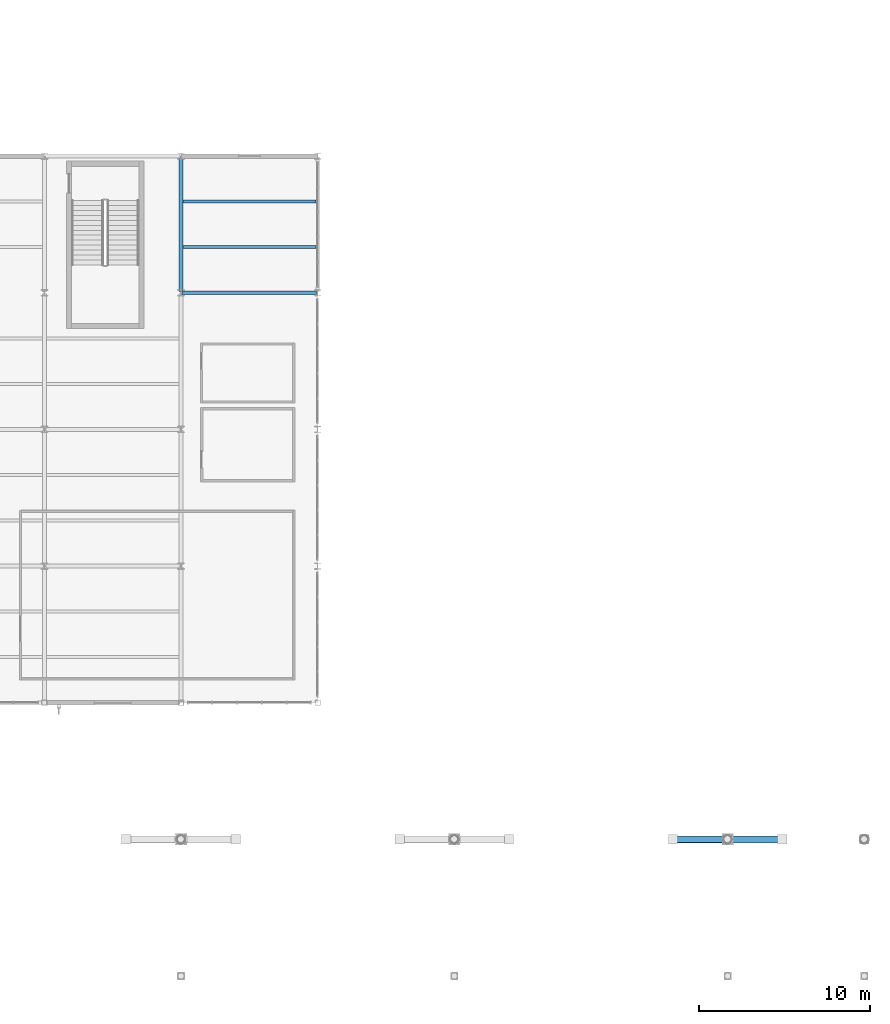
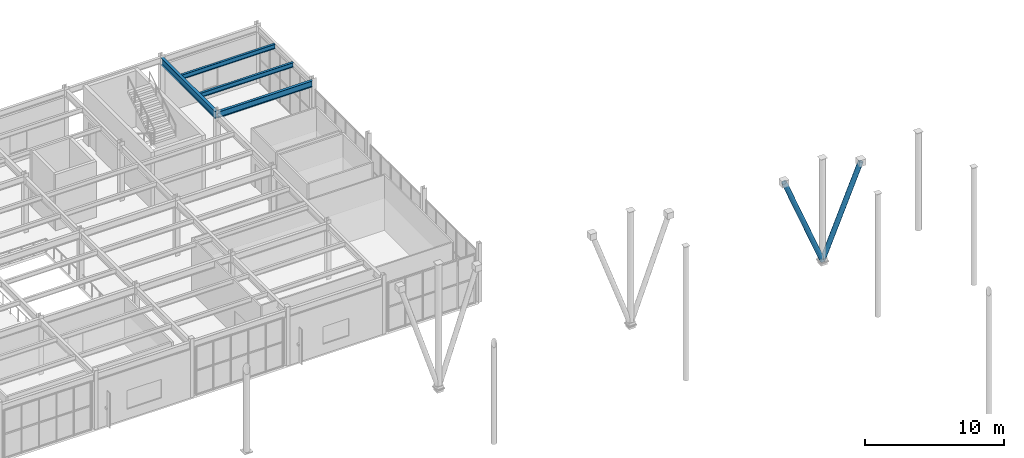
# One storey, part 44 of 77: 4 beams, 2 members.
"""IFC4 building model written with IfcOpenShell, lengths in metres."""

from ifc_helpers import new_model, si_unit, direction, frame, origin, origin_2d, place, context, subcontext, project, spatial, hollow_circle, i_section, extrude, material, material_profile, profile_set, type_object, element, save


model = new_model("IFC4")

# Units and contexts
model_context = context("Model", 3, precision=1e-05, world=origin(), true_north=direction((0.0, 1.0)))
body_context = subcontext(model_context, "Body", "Model", "MODEL_VIEW")
ifc_project = project(units=[si_unit("LENGTHUNIT", "METRE"), si_unit("AREAUNIT", "SQUARE_METRE"), si_unit("VOLUMEUNIT", "CUBIC_METRE"), si_unit("PLANEANGLEUNIT", "RADIAN"), si_unit("MASSUNIT", "GRAM", prefix="KILO")], contexts=[model_context])

# Site, building, storey
site_placement = place(None, origin())
site = spatial("IfcSite", under=ifc_project, at=site_placement, CompositionType="ELEMENT")
building_placement = place(site_placement, origin())
building = spatial("IfcBuilding", under=site, at=building_placement, Name="Drelvath Fold Interchange", CompositionType="ELEMENT")
storey_placement = place(building_placement, frame((0.0, 0.0, 6.0)))
storey = spatial("IfcBuildingStorey", under=building, at=storey_placement, Name="L01", CompositionType="ELEMENT", Elevation=6.0)

# Beams
ifc_material_1 = material(Name="Steel ASTM A992 Grade 50", Category="steel")
ifc_material_profile_1 = material_profile(ifc_material_1, i_section(OverallWidth=0.177978515625, OverallDepth=0.403076171875, WebThickness=0.007568359375, FlangeThickness=0.010986328125, at=origin_2d()), Name="W16X36")
ifc_profile_set_1 = profile_set([ifc_material_profile_1], Name="Steel ASTM A992 Grade 50")
beam_type_1 = type_object("IfcBeamType", Name="BM-W16X36", PredefinedType="JOIST", material=ifc_profile_set_1)
for number, where, z_axis, x_axis, name in (
    (1, (134.113037109375, 101.6669921875, 4.748046875), (1.0, 0.0, 0.0), (0.0, 1.0, 0.0), "L01 Secondary floor joist BM-W16X36"),
    (2, (134.113037109375, 104.3330078125, 4.748046875), (1.0, 0.0, 0.0), (0.0, 1.0, 0.0), "L01 Secondary floor joist BM-W16X36"),
):
    element("IfcBeam", number, at=place(storey_placement, frame(where, z_axis=z_axis, x_axis=x_axis)), inside=storey, type_object=beam_type_1, Name=name, PredefinedType="JOIST", context=body_context, shape_type="SweptSolid", body=[
        extrude(i_section(OverallWidth=0.177978515625, OverallDepth=0.403076171875, WebThickness=0.007568359375, FlangeThickness=0.010986328125, at=origin_2d()), origin(), (0.0, 0.0, 1.0), 7.783935546875),
    ])
ifc_material_profile_2 = material_profile(ifc_material_1, i_section(OverallWidth=0.2099609375, OverallDepth=0.537109375, WebThickness=0.010986328125, FlangeThickness=0.017333984375, at=origin_2d()), Name="W21X68")
ifc_profile_set_2 = profile_set([ifc_material_profile_2], Name="Steel ASTM A992 Grade 50")
beam_type_2 = type_object("IfcBeamType", Name="BM-W21X68", PredefinedType="SPANDREL", material=ifc_profile_set_2)
beam_1_placement = place(storey_placement, frame((134.06005859375, 99.0, 4.680908203125), z_axis=(1.0, 0.0, 0.0), x_axis=(0.0, 1.0, 0.0)))
element("IfcBeam", 3, at=beam_1_placement, inside=storey, type_object=beam_type_2, Name="L01 Primary X girder BM-W21X68", PredefinedType="SPANDREL", context=body_context, shape_type="SweptSolid", body=[
    extrude(i_section(OverallWidth=0.2099609375, OverallDepth=0.537109375, WebThickness=0.010986328125, FlangeThickness=0.017333984375, at=origin_2d()), origin(), (0.0, 0.0, 1.0), 7.8798828125),
])
ifc_material_profile_3 = material_profile(ifc_material_1, i_section(OverallWidth=0.22998046875, OverallDepth=0.616943359375, WebThickness=0.01318359375, FlangeThickness=0.022216796875, at=origin_2d()), Name="W24X94")
ifc_profile_set_3 = profile_set([ifc_material_profile_3], Name="Steel ASTM A992 Grade 50")
beam_type_3 = type_object("IfcBeamType", Name="BM-W24X94", PredefinedType="BEAM", material=ifc_profile_set_3)
beam_2_placement = place(storey_placement, frame((134.0, 99.06005859375, 4.64111328125), z_axis=(0.0, 1.0, 0.0), x_axis=(-1.0, 0.0, 0.0)))
element("IfcBeam", 4, at=beam_2_placement, inside=storey, type_object=beam_type_3, Name="L01 Primary Y girder BM-W24X94", PredefinedType="BEAM", context=body_context, shape_type="SweptSolid", body=[
    extrude(i_section(OverallWidth=0.22998046875, OverallDepth=0.616943359375, WebThickness=0.01318359375, FlangeThickness=0.022216796875, at=origin_2d()), origin(), (0.0, 0.0, 1.0), 7.8798828125),
])

# Members
ifc_material_2 = material(Name="Steel ASTM A500 Grade C", Category="steel")
ifc_material_profile_4 = material_profile(ifc_material_2, hollow_circle(Radius=0.202880859375, WallThickness=0.014892578125, at=origin_2d()), Name="HSS16.000X0.625")
ifc_profile_set_4 = profile_set([ifc_material_profile_4], Name="Steel ASTM A500 Grade C")
member_type = type_object("IfcMemberType", Name="ST-VST406", PredefinedType="STRUT", material=ifc_profile_set_4)
member_1_placement = place(storey_placement, frame((166.0, 67.0, 0.050048828125), z_axis=(-0.371708477015, 0.0, 0.928349507521), x_axis=(0.0, -1.0, 0.0)))
element("IfcMember", 5, at=member_1_placement, inside=storey, type_object=member_type, Name="L01 Canopy inclined V-strut ST-VST406", PredefinedType="STRUT", context=body_context, shape_type="SweptSolid", body=[
    extrude(hollow_circle(Radius=0.202880859375, WallThickness=0.014892578125, at=origin_2d()), origin(), (0.0, 0.0, 1.0), 8.60888671875),
])
member_2_placement = place(storey_placement, frame((166.0, 67.0, 0.050048828125), z_axis=(0.387709177534, 0.0, 0.92178174947), x_axis=(0.0, 1.0, 0.0)))
element("IfcMember", 6, at=member_2_placement, inside=storey, type_object=member_type, Name="L01 Canopy inclined V-strut ST-VST406", PredefinedType="STRUT", context=body_context, shape_type="SweptSolid", body=[
    extrude(hollow_circle(Radius=0.202880859375, WallThickness=0.014892578125, at=origin_2d()), origin(), (0.0, 0.0, 1.0), 8.25341796875),
])

save(model, "model.ifc")
